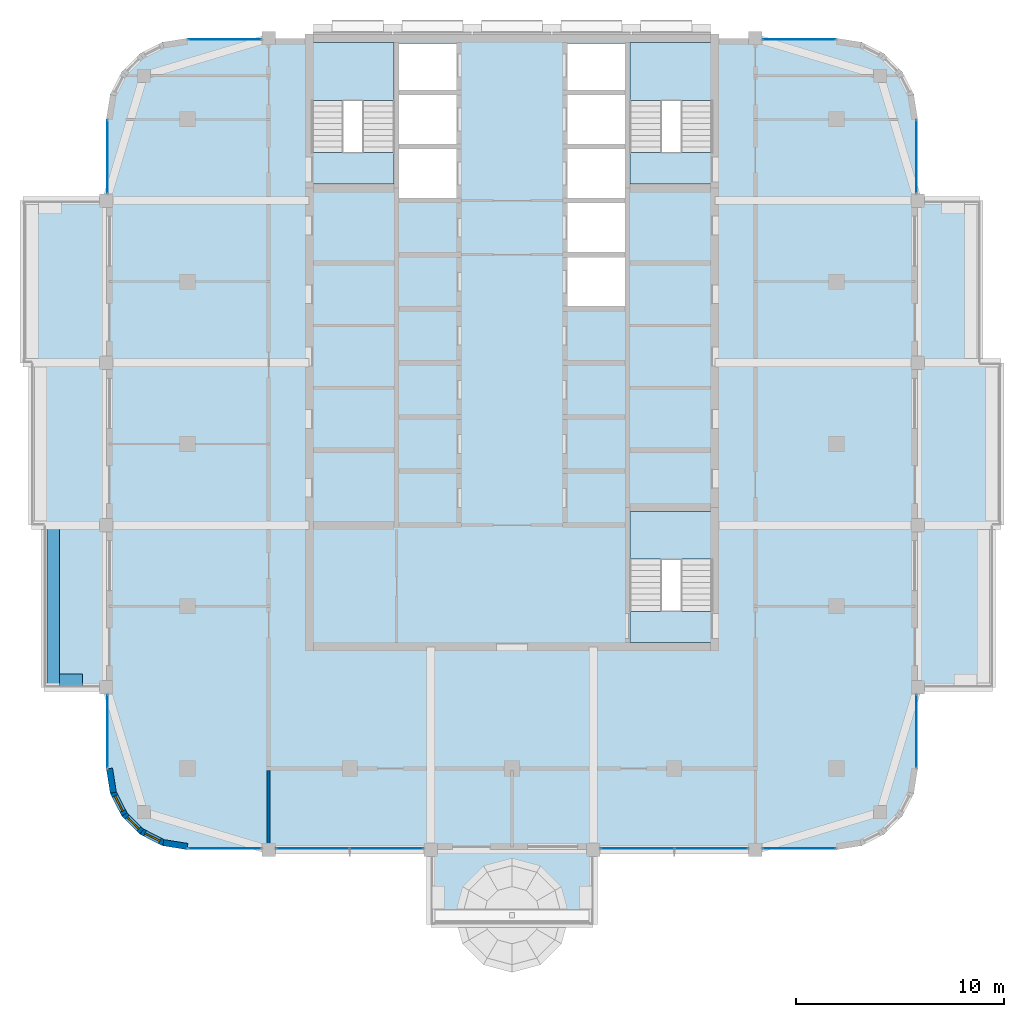
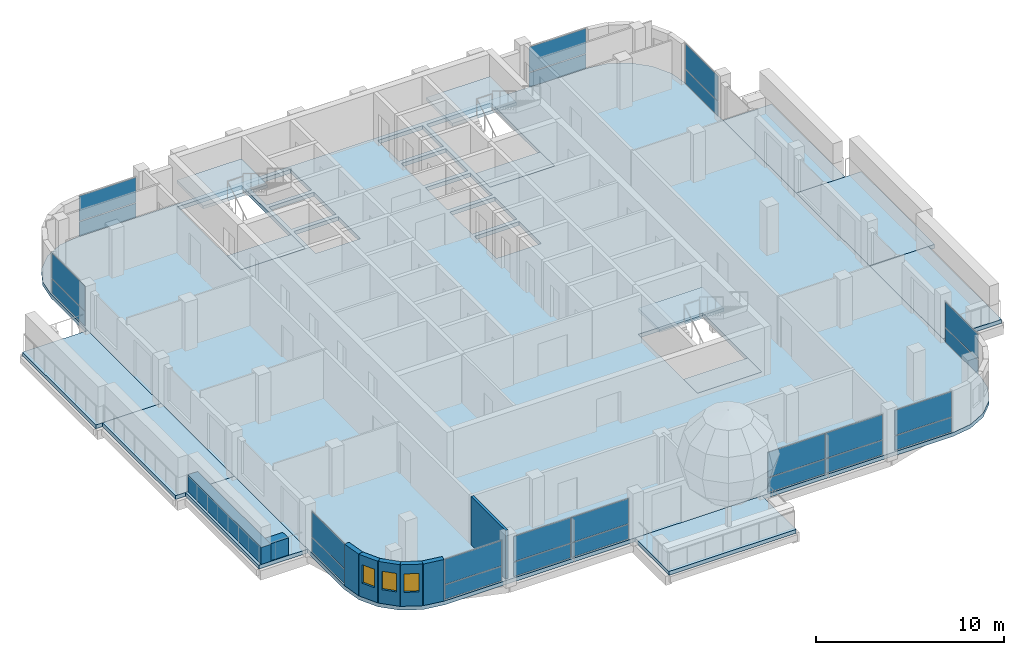
# One storey, part 9 of 19: 24 plates, 14 slabs, 8 walls, 3 windows, 3 openings, 13 elements without a shape of their own.
"""IFC4 building model written with IfcOpenShell, lengths in metres."""

from ifc_helpers import new_model, si_unit, direction, frame, frame_2d, origin, origin_2d, place, context, subcontext, project, spatial, polyline, rectangle, outline, extrude, material, layer, layer_set, type_object, element, fill, aggregate, save


model = new_model("IFC4")

# Units and contexts
model_context = context("Model", 3, precision=1e-05, world=origin(), true_north=direction((0.0, 1.0)))
body_context = subcontext(model_context, "Body", "Model", "MODEL_VIEW")
ifc_project = project(units=[si_unit("LENGTHUNIT", "METRE"), si_unit("AREAUNIT", "SQUARE_METRE"), si_unit("VOLUMEUNIT", "CUBIC_METRE"), si_unit("PLANEANGLEUNIT", "RADIAN"), si_unit("MASSUNIT", "GRAM", prefix="KILO")], contexts=[model_context])

# Site, building, storey
site_placement = place(None, origin())
site = spatial("IfcSite", under=ifc_project, at=site_placement, CompositionType="ELEMENT")
building_placement = place(site_placement, origin())
building = spatial("IfcBuilding", under=site, at=building_placement, Name="Ludao Terraces", CompositionType="ELEMENT")
storey_placement = place(building_placement, frame((0.0, 0.0, 256.199951171875)))
storey = spatial("IfcBuildingStorey", under=building, at=storey_placement, Name="L70", CompositionType="ELEMENT", Elevation=256.199951171875)

# Slabs
ifc_material_1 = material(Name="Concrete C40", Category="concrete")
ifc_layer_1 = layer(ifc_material_1, 0.25)
ifc_layer_set_1 = layer_set([ifc_layer_1], Name="Balcony slab 250 C40")
slab_type_1 = type_object("IfcSlabType", Name="Balcony slab 250 C40", PredefinedType="USERDEFINED", material=ifc_layer_set_1)
slab_1_placement = place(storey_placement, frame((0.0, 0.0, -0.25)))
element("IfcSlab", 1, at=slab_1_placement, inside=storey, type_object=slab_type_1, Name="Balcony L70 S1", ObjectType="BALCONY", PredefinedType="USERDEFINED", context=body_context, shape_type="SweptSolid", body=[
    extrude(outline(polyline([(81.10009765625, 41.89990234375), (88.89990234375, 41.89990234375), (88.89990234375, 45.5), (81.10009765625, 45.5), (81.10009765625, 41.89990234375)])), origin(), (0.0, 0.0, 1.0), 0.25),
])
slab_2_placement = place(storey_placement, frame((0.0, 0.0, -0.25)))
element("IfcSlab", 2, at=slab_2_placement, inside=storey, type_object=slab_type_1, Name="Balcony L70 E1", ObjectType="BALCONY", PredefinedType="USERDEFINED", context=body_context, shape_type="SweptSolid", body=[
    extrude(outline(polyline([(104.5, 53.300048828125), (108.10009765625, 53.300048828125), (108.10009765625, 61.10009765625), (104.5, 61.10009765625), (104.5, 53.300048828125)])), origin(), (0.0, 0.0, 1.0), 0.25),
])
slab_3_placement = place(storey_placement, frame((0.0, 0.0, -0.25)))
element("IfcSlab", 3, at=slab_3_placement, inside=storey, type_object=slab_type_1, Name="Balcony L70 E2", ObjectType="BALCONY", PredefinedType="USERDEFINED", context=body_context, shape_type="SweptSolid", body=[
    extrude(outline(polyline([(104.5, 61.10009765625), (108.5, 61.10009765625), (108.5, 68.89990234375), (104.5, 68.89990234375), (104.5, 61.10009765625)])), origin(), (0.0, 0.0, 1.0), 0.25),
])
slab_4_placement = place(storey_placement, frame((0.0, 0.0, -0.25)))
element("IfcSlab", 4, at=slab_4_placement, inside=storey, type_object=slab_type_1, Name="Balcony L70 E3", ObjectType="BALCONY", PredefinedType="USERDEFINED", context=body_context, shape_type="SweptSolid", body=[
    extrude(outline(polyline([(104.5, 68.89990234375), (107.5, 68.89990234375), (107.5, 76.699951171875), (104.5, 76.699951171875), (104.5, 68.89990234375)])), origin(), (0.0, 0.0, 1.0), 0.25),
])
slab_5_placement = place(storey_placement, frame((0.0, 0.0, -0.25)))
element("IfcSlab", 5, at=slab_5_placement, inside=storey, type_object=slab_type_1, Name="Balcony L70 W1", ObjectType="BALCONY", PredefinedType="USERDEFINED", context=body_context, shape_type="SweptSolid", body=[
    extrude(outline(polyline([(62.5, 53.300048828125), (65.5, 53.300048828125), (65.5, 61.10009765625), (62.5, 61.10009765625), (62.5, 53.300048828125)])), origin(), (0.0, 0.0, 1.0), 0.25),
])
slab_6_placement = place(storey_placement, frame((0.0, 0.0, -0.25)))
element("IfcSlab", 6, at=slab_6_placement, inside=storey, type_object=slab_type_1, Name="Balcony L70 W2", ObjectType="BALCONY", PredefinedType="USERDEFINED", context=body_context, shape_type="SweptSolid", body=[
    extrude(outline(polyline([(61.89990234375, 61.10009765625), (65.5, 61.10009765625), (65.5, 68.89990234375), (61.89990234375, 68.89990234375), (61.89990234375, 61.10009765625)])), origin(), (0.0, 0.0, 1.0), 0.25),
])
slab_7_placement = place(storey_placement, frame((0.0, 0.0, -0.25)))
element("IfcSlab", 7, at=slab_7_placement, inside=storey, type_object=slab_type_1, Name="Balcony L70 W3", ObjectType="BALCONY", PredefinedType="USERDEFINED", context=body_context, shape_type="SweptSolid", body=[
    extrude(outline(polyline([(61.5, 68.89990234375), (65.5, 68.89990234375), (65.5, 76.699951171875), (61.5, 76.699951171875), (61.5, 68.89990234375)])), origin(), (0.0, 0.0, 1.0), 0.25),
])

# Curtain wall, plates
ifc_material_2 = material(Name="Aluminium curtain wall with fritted glass", Category="aluminium")
curtain_wall_type = type_object("IfcCurtainWallType", Name="ENV CW3 community glazing", PredefinedType="NOTDEFINED", material=ifc_material_2)
curtain_wall_1_placement = place(storey_placement, origin())
curtain_wall_1 = element("IfcCurtainWall", 8, at=curtain_wall_1_placement, inside=storey, type_object=curtain_wall_type, Name="Community floor glazing L70 S1", PredefinedType="NOTDEFINED")
ifc_material_3 = material(Name="Fritted glass panel", Category="glass")
ifc_layer_2 = layer(ifc_material_3, 0.02392578125)
ifc_layer_set_2 = layer_set([ifc_layer_2], Name="ENV CW3 glass panel")
plate_type = type_object("IfcPlateType", Name="ENV CW3 glass panel", PredefinedType="CURTAIN_PANEL", material=ifc_layer_set_2)
plate_1_placement = place(storey_placement, frame((71.1875, 45.56005859375, 0.0498046875), z_axis=(0.0, 0.0, 1.0), x_axis=(1.0, 0.0, 0.0)))
plate_1 = element("IfcPlate", 9, at=plate_1_placement, type_object=plate_type, Name="CW3 panel 1.1", PredefinedType="CURTAIN_PANEL", context=body_context, shape_type="SweptSolid", body=[
    extrude(rectangle(XDim=3.47509765625, YDim=0.02392578125, at=origin_2d()), origin(), (0.0, 0.0, 1.0), 0.925048828125),
])
plate_2_placement = place(storey_placement, frame((71.1875, 45.56005859375, 1.025146484375), z_axis=(0.0, 0.0, 1.0), x_axis=(1.0, 0.0, 0.0)))
plate_2 = element("IfcPlate", 10, at=plate_2_placement, type_object=plate_type, Name="CW3 panel 1.2", PredefinedType="CURTAIN_PANEL", context=body_context, shape_type="SweptSolid", body=[
    extrude(rectangle(XDim=3.47509765625, YDim=0.02392578125, at=origin_2d()), origin(), (0.0, 0.0, 1.0), 1.625),
])
aggregate(curtain_wall_1, [plate_1, plate_2])

curtain_wall_2_placement = place(storey_placement, origin())
curtain_wall_2 = element("IfcCurtainWall", 11, at=curtain_wall_2_placement, inside=storey, type_object=curtain_wall_type, Name="Community floor glazing L70 S2", PredefinedType="NOTDEFINED")
plate_3_placement = place(storey_placement, frame((75.425048828125, 45.56005859375, 0.0498046875), z_axis=(0.0, 0.0, 1.0), x_axis=(1.0, 0.0, 0.0)))
plate_3 = element("IfcPlate", 12, at=plate_3_placement, type_object=plate_type, Name="CW3 panel 1.1", PredefinedType="CURTAIN_PANEL", context=body_context, shape_type="SweptSolid", body=[
    extrude(rectangle(XDim=3.5, YDim=0.02392578125, at=origin_2d()), origin(), (0.0, 0.0, 1.0), 0.925048828125),
])
plate_4_placement = place(storey_placement, frame((75.425048828125, 45.56005859375, 1.025146484375), z_axis=(0.0, 0.0, 1.0), x_axis=(1.0, 0.0, 0.0)))
plate_4 = element("IfcPlate", 13, at=plate_4_placement, type_object=plate_type, Name="CW3 panel 1.2", PredefinedType="CURTAIN_PANEL", context=body_context, shape_type="SweptSolid", body=[
    extrude(rectangle(XDim=3.5, YDim=0.02392578125, at=origin_2d()), origin(), (0.0, 0.0, 1.0), 1.625),
])
plate_5_placement = place(storey_placement, frame((78.97509765625, 45.56005859375, 0.0498046875), z_axis=(0.0, 0.0, 1.0), x_axis=(1.0, 0.0, 0.0)))
plate_5 = element("IfcPlate", 14, at=plate_5_placement, type_object=plate_type, Name="CW3 panel 2.1", PredefinedType="CURTAIN_PANEL", context=body_context, shape_type="SweptSolid", body=[
    extrude(rectangle(XDim=3.5, YDim=0.02392578125, at=origin_2d()), origin(), (0.0, 0.0, 1.0), 0.925048828125),
])
plate_6_placement = place(storey_placement, frame((78.97509765625, 45.56005859375, 1.025146484375), z_axis=(0.0, 0.0, 1.0), x_axis=(1.0, 0.0, 0.0)))
plate_6 = element("IfcPlate", 15, at=plate_6_placement, type_object=plate_type, Name="CW3 panel 2.2", PredefinedType="CURTAIN_PANEL", context=body_context, shape_type="SweptSolid", body=[
    extrude(rectangle(XDim=3.5, YDim=0.02392578125, at=origin_2d()), origin(), (0.0, 0.0, 1.0), 1.625),
])
aggregate(curtain_wall_2, [plate_3, plate_4, plate_5, plate_6])

curtain_wall_3_placement = place(storey_placement, origin())
curtain_wall_3 = element("IfcCurtainWall", 16, at=curtain_wall_3_placement, inside=storey, type_object=curtain_wall_type, Name="Community floor glazing L70 S4", PredefinedType="NOTDEFINED")
plate_7_placement = place(storey_placement, frame((91.02490234375, 45.56005859375, 0.0498046875), z_axis=(0.0, 0.0, 1.0), x_axis=(1.0, 0.0, 0.0)))
plate_7 = element("IfcPlate", 17, at=plate_7_placement, type_object=plate_type, Name="CW3 panel 1.1", PredefinedType="CURTAIN_PANEL", context=body_context, shape_type="SweptSolid", body=[
    extrude(rectangle(XDim=3.5, YDim=0.02392578125, at=origin_2d()), origin(), (0.0, 0.0, 1.0), 0.925048828125),
])
plate_8_placement = place(storey_placement, frame((91.02490234375, 45.56005859375, 1.025146484375), z_axis=(0.0, 0.0, 1.0), x_axis=(1.0, 0.0, 0.0)))
plate_8 = element("IfcPlate", 18, at=plate_8_placement, type_object=plate_type, Name="CW3 panel 1.2", PredefinedType="CURTAIN_PANEL", context=body_context, shape_type="SweptSolid", body=[
    extrude(rectangle(XDim=3.5, YDim=0.02392578125, at=origin_2d()), origin(), (0.0, 0.0, 1.0), 1.625),
])
plate_9_placement = place(storey_placement, frame((94.574951171875, 45.56005859375, 0.0498046875), z_axis=(0.0, 0.0, 1.0), x_axis=(1.0, 0.0, 0.0)))
plate_9 = element("IfcPlate", 19, at=plate_9_placement, type_object=plate_type, Name="CW3 panel 2.1", PredefinedType="CURTAIN_PANEL", context=body_context, shape_type="SweptSolid", body=[
    extrude(rectangle(XDim=3.5, YDim=0.02392578125, at=origin_2d()), origin(), (0.0, 0.0, 1.0), 0.925048828125),
])
plate_10_placement = place(storey_placement, frame((94.574951171875, 45.56005859375, 1.025146484375), z_axis=(0.0, 0.0, 1.0), x_axis=(1.0, 0.0, 0.0)))
plate_10 = element("IfcPlate", 20, at=plate_10_placement, type_object=plate_type, Name="CW3 panel 2.2", PredefinedType="CURTAIN_PANEL", context=body_context, shape_type="SweptSolid", body=[
    extrude(rectangle(XDim=3.5, YDim=0.02392578125, at=origin_2d()), origin(), (0.0, 0.0, 1.0), 1.625),
])
aggregate(curtain_wall_3, [plate_7, plate_8, plate_9, plate_10])

curtain_wall_4_placement = place(storey_placement, origin())
curtain_wall_4 = element("IfcCurtainWall", 21, at=curtain_wall_4_placement, inside=storey, type_object=curtain_wall_type, Name="Community floor glazing L70 S5", PredefinedType="NOTDEFINED")
plate_11_placement = place(storey_placement, frame((98.8125, 45.56005859375, 0.0498046875), z_axis=(0.0, 0.0, 1.0), x_axis=(1.0, 0.0, 0.0)))
plate_11 = element("IfcPlate", 22, at=plate_11_placement, type_object=plate_type, Name="CW3 panel 1.1", PredefinedType="CURTAIN_PANEL", context=body_context, shape_type="SweptSolid", body=[
    extrude(rectangle(XDim=3.47509765625, YDim=0.02392578125, at=origin_2d()), origin(), (0.0, 0.0, 1.0), 0.925048828125),
])
plate_12_placement = place(storey_placement, frame((98.8125, 45.56005859375, 1.025146484375), z_axis=(0.0, 0.0, 1.0), x_axis=(1.0, 0.0, 0.0)))
plate_12 = element("IfcPlate", 23, at=plate_12_placement, type_object=plate_type, Name="CW3 panel 1.2", PredefinedType="CURTAIN_PANEL", context=body_context, shape_type="SweptSolid", body=[
    extrude(rectangle(XDim=3.47509765625, YDim=0.02392578125, at=origin_2d()), origin(), (0.0, 0.0, 1.0), 1.625),
])
aggregate(curtain_wall_4, [plate_11, plate_12])

curtain_wall_5_placement = place(storey_placement, origin())
curtain_wall_5 = element("IfcCurtainWall", 24, at=curtain_wall_5_placement, inside=storey, type_object=curtain_wall_type, Name="Community floor glazing L70 E1", PredefinedType="NOTDEFINED")
plate_13_placement = place(storey_placement, frame((104.43994140625, 51.1875, 0.0498046875), z_axis=(0.0, 0.0, 1.0), x_axis=(0.0, 1.0, 0.0)))
plate_13 = element("IfcPlate", 25, at=plate_13_placement, type_object=plate_type, Name="CW3 panel 1.1", PredefinedType="CURTAIN_PANEL", context=body_context, shape_type="SweptSolid", body=[
    extrude(rectangle(XDim=3.47509765625, YDim=0.02392578125, at=origin_2d()), origin(), (0.0, 0.0, 1.0), 0.925048828125),
])
plate_14_placement = place(storey_placement, frame((104.43994140625, 51.1875, 1.025146484375), z_axis=(0.0, 0.0, 1.0), x_axis=(0.0, 1.0, 0.0)))
plate_14 = element("IfcPlate", 26, at=plate_14_placement, type_object=plate_type, Name="CW3 panel 1.2", PredefinedType="CURTAIN_PANEL", context=body_context, shape_type="SweptSolid", body=[
    extrude(rectangle(XDim=3.47509765625, YDim=0.02392578125, at=origin_2d()), origin(), (0.0, 0.0, 1.0), 1.625),
])
aggregate(curtain_wall_5, [plate_13, plate_14])

curtain_wall_6_placement = place(storey_placement, origin())
curtain_wall_6 = element("IfcCurtainWall", 27, at=curtain_wall_6_placement, inside=storey, type_object=curtain_wall_type, Name="Community floor glazing L70 E5", PredefinedType="NOTDEFINED")
plate_15_placement = place(storey_placement, frame((104.43994140625, 78.8125, 0.0498046875), z_axis=(0.0, 0.0, 1.0), x_axis=(0.0, 1.0, 0.0)))
plate_15 = element("IfcPlate", 28, at=plate_15_placement, type_object=plate_type, Name="CW3 panel 1.1", PredefinedType="CURTAIN_PANEL", context=body_context, shape_type="SweptSolid", body=[
    extrude(rectangle(XDim=3.47509765625, YDim=0.02392578125, at=origin_2d()), origin(), (0.0, 0.0, 1.0), 0.925048828125),
])
plate_16_placement = place(storey_placement, frame((104.43994140625, 78.8125, 1.025146484375), z_axis=(0.0, 0.0, 1.0), x_axis=(0.0, 1.0, 0.0)))
plate_16 = element("IfcPlate", 29, at=plate_16_placement, type_object=plate_type, Name="CW3 panel 1.2", PredefinedType="CURTAIN_PANEL", context=body_context, shape_type="SweptSolid", body=[
    extrude(rectangle(XDim=3.47509765625, YDim=0.02392578125, at=origin_2d()), origin(), (0.0, 0.0, 1.0), 1.625),
])
aggregate(curtain_wall_6, [plate_15, plate_16])

curtain_wall_7_placement = place(storey_placement, origin())
curtain_wall_7 = element("IfcCurtainWall", 30, at=curtain_wall_7_placement, inside=storey, type_object=curtain_wall_type, Name="Community floor glazing L70 N1", PredefinedType="NOTDEFINED")
plate_17_placement = place(storey_placement, frame((71.1875, 84.43994140625, 0.0498046875), z_axis=(0.0, 0.0, 1.0), x_axis=(1.0, 0.0, 0.0)))
plate_17 = element("IfcPlate", 31, at=plate_17_placement, type_object=plate_type, Name="CW3 panel 1.1", PredefinedType="CURTAIN_PANEL", context=body_context, shape_type="SweptSolid", body=[
    extrude(rectangle(XDim=3.47509765625, YDim=0.02392578125, at=origin_2d()), origin(), (0.0, 0.0, 1.0), 0.925048828125),
])
plate_18_placement = place(storey_placement, frame((71.1875, 84.43994140625, 1.025146484375), z_axis=(0.0, 0.0, 1.0), x_axis=(1.0, 0.0, 0.0)))
plate_18 = element("IfcPlate", 32, at=plate_18_placement, type_object=plate_type, Name="CW3 panel 1.2", PredefinedType="CURTAIN_PANEL", context=body_context, shape_type="SweptSolid", body=[
    extrude(rectangle(XDim=3.47509765625, YDim=0.02392578125, at=origin_2d()), origin(), (0.0, 0.0, 1.0), 1.625),
])
aggregate(curtain_wall_7, [plate_17, plate_18])

curtain_wall_8_placement = place(storey_placement, origin())
curtain_wall_8 = element("IfcCurtainWall", 33, at=curtain_wall_8_placement, inside=storey, type_object=curtain_wall_type, Name="Community floor glazing L70 N4", PredefinedType="NOTDEFINED")
plate_19_placement = place(storey_placement, frame((98.8125, 84.43994140625, 0.0498046875), z_axis=(0.0, 0.0, 1.0), x_axis=(1.0, 0.0, 0.0)))
plate_19 = element("IfcPlate", 34, at=plate_19_placement, type_object=plate_type, Name="CW3 panel 1.1", PredefinedType="CURTAIN_PANEL", context=body_context, shape_type="SweptSolid", body=[
    extrude(rectangle(XDim=3.47509765625, YDim=0.02392578125, at=origin_2d()), origin(), (0.0, 0.0, 1.0), 0.925048828125),
])
plate_20_placement = place(storey_placement, frame((98.8125, 84.43994140625, 1.025146484375), z_axis=(0.0, 0.0, 1.0), x_axis=(1.0, 0.0, 0.0)))
plate_20 = element("IfcPlate", 35, at=plate_20_placement, type_object=plate_type, Name="CW3 panel 1.2", PredefinedType="CURTAIN_PANEL", context=body_context, shape_type="SweptSolid", body=[
    extrude(rectangle(XDim=3.47509765625, YDim=0.02392578125, at=origin_2d()), origin(), (0.0, 0.0, 1.0), 1.625),
])
aggregate(curtain_wall_8, [plate_19, plate_20])

curtain_wall_9_placement = place(storey_placement, origin())
curtain_wall_9 = element("IfcCurtainWall", 36, at=curtain_wall_9_placement, inside=storey, type_object=curtain_wall_type, Name="Community floor glazing L70 W1", PredefinedType="NOTDEFINED")
plate_21_placement = place(storey_placement, frame((65.56005859375, 51.1875, 0.0498046875), z_axis=(0.0, 0.0, 1.0), x_axis=(0.0, 1.0, 0.0)))
plate_21 = element("IfcPlate", 37, at=plate_21_placement, type_object=plate_type, Name="CW3 panel 1.1", PredefinedType="CURTAIN_PANEL", context=body_context, shape_type="SweptSolid", body=[
    extrude(rectangle(XDim=3.47509765625, YDim=0.02392578125, at=origin_2d()), origin(), (0.0, 0.0, 1.0), 0.925048828125),
])
plate_22_placement = place(storey_placement, frame((65.56005859375, 51.1875, 1.025146484375), z_axis=(0.0, 0.0, 1.0), x_axis=(0.0, 1.0, 0.0)))
plate_22 = element("IfcPlate", 38, at=plate_22_placement, type_object=plate_type, Name="CW3 panel 1.2", PredefinedType="CURTAIN_PANEL", context=body_context, shape_type="SweptSolid", body=[
    extrude(rectangle(XDim=3.47509765625, YDim=0.02392578125, at=origin_2d()), origin(), (0.0, 0.0, 1.0), 1.625),
])
aggregate(curtain_wall_9, [plate_21, plate_22])

curtain_wall_10_placement = place(storey_placement, origin())
curtain_wall_10 = element("IfcCurtainWall", 39, at=curtain_wall_10_placement, inside=storey, type_object=curtain_wall_type, Name="Community floor glazing L70 W5", PredefinedType="NOTDEFINED")
plate_23_placement = place(storey_placement, frame((65.56005859375, 78.8125, 0.0498046875), z_axis=(0.0, 0.0, 1.0), x_axis=(0.0, 1.0, 0.0)))
plate_23 = element("IfcPlate", 40, at=plate_23_placement, type_object=plate_type, Name="CW3 panel 1.1", PredefinedType="CURTAIN_PANEL", context=body_context, shape_type="SweptSolid", body=[
    extrude(rectangle(XDim=3.47509765625, YDim=0.02392578125, at=origin_2d()), origin(), (0.0, 0.0, 1.0), 0.925048828125),
])
plate_24_placement = place(storey_placement, frame((65.56005859375, 78.8125, 1.025146484375), z_axis=(0.0, 0.0, 1.0), x_axis=(0.0, 1.0, 0.0)))
plate_24 = element("IfcPlate", 41, at=plate_24_placement, type_object=plate_type, Name="CW3 panel 1.2", PredefinedType="CURTAIN_PANEL", context=body_context, shape_type="SweptSolid", body=[
    extrude(rectangle(XDim=3.47509765625, YDim=0.02392578125, at=origin_2d()), origin(), (0.0, 0.0, 1.0), 1.625),
])
aggregate(curtain_wall_10, [plate_23, plate_24])

# Slab
ifc_layer_3 = layer(ifc_material_1, 0.25)
ifc_layer_set_3 = layer_set([ifc_layer_3], Name="Floor slab 250 C40")
slab_type_2 = type_object("IfcSlabType", Name="Floor slab 250 C40", PredefinedType="FLOOR", material=ifc_layer_set_3)
slab_8_placement = place(storey_placement, frame((0.0, 0.0, -0.25)))
element("IfcSlab", 42, at=slab_8_placement, inside=storey, type_object=slab_type_2, Name="Slab L70", PredefinedType="FLOOR", context=body_context, shape_type="SweptSolid", body=[
    extrude(outline(polyline([(100.60009765625, 45.5), (101.80517578125, 45.69091796875), (102.892333984375, 46.244873046875), (103.755126953125, 47.107666015625), (104.30908203125, 48.19482421875), (104.5, 49.39990234375), (104.5, 80.60009765625), (104.30908203125, 81.80517578125), (103.755126953125, 82.892333984375), (102.892333984375, 83.755126953125), (101.80517578125, 84.30908203125), (100.60009765625, 84.5), (69.39990234375, 84.5), (68.19482421875, 84.30908203125), (67.107666015625, 83.755126953125), (66.244873046875, 82.892333984375), (65.69091796875, 81.80517578125), (65.5, 80.60009765625), (65.5, 49.39990234375), (65.69091796875, 48.19482421875), (66.244873046875, 47.107666015625), (67.107666015625, 46.244873046875), (68.19482421875, 45.69091796875), (69.39990234375, 45.5), (100.60009765625, 45.5)]), holes=[polyline([(79.574951171875, 76.824951171875), (82.324951171875, 76.824951171875), (82.324951171875, 79.175048828125), (79.574951171875, 79.175048828125), (79.574951171875, 76.824951171875)]), polyline([(79.574951171875, 79.425048828125), (82.324951171875, 79.425048828125), (82.324951171875, 81.77490234375), (79.574951171875, 81.77490234375), (79.574951171875, 79.425048828125)]), polyline([(79.574951171875, 82.02490234375), (82.324951171875, 82.02490234375), (82.324951171875, 84.239990234375), (79.574951171875, 84.239990234375), (79.574951171875, 82.02490234375)]), polyline([(87.675048828125, 71.625), (90.425048828125, 71.625), (90.425048828125, 73.97509765625), (87.675048828125, 73.97509765625), (87.675048828125, 71.625)]), polyline([(87.675048828125, 74.22509765625), (90.425048828125, 74.22509765625), (90.425048828125, 76.574951171875), (87.675048828125, 76.574951171875), (87.675048828125, 74.22509765625)]), polyline([(87.675048828125, 76.824951171875), (90.425048828125, 76.824951171875), (90.425048828125, 79.175048828125), (87.675048828125, 79.175048828125), (87.675048828125, 76.824951171875)]), polyline([(87.675048828125, 79.425048828125), (90.425048828125, 79.425048828125), (90.425048828125, 81.77490234375), (87.675048828125, 81.77490234375), (87.675048828125, 79.425048828125)]), polyline([(87.675048828125, 82.02490234375), (90.425048828125, 82.02490234375), (90.425048828125, 84.239990234375), (87.675048828125, 84.239990234375), (87.675048828125, 82.02490234375)]), polyline([(75.375, 77.5), (79.324951171875, 77.5), (79.324951171875, 84.239990234375), (75.375, 84.239990234375), (75.375, 77.5)]), polyline([(90.675048828125, 77.5), (94.625, 77.5), (94.625, 84.239990234375), (90.675048828125, 84.239990234375), (90.675048828125, 77.5)]), polyline([(90.675048828125, 55.449951171875), (94.625, 55.449951171875), (94.625, 61.75), (90.675048828125, 61.75), (90.675048828125, 55.449951171875)])]), origin(), (0.0, 0.0, 1.0), 0.25),
])

# Stair, slabs
stair_type = type_object("IfcStairType", Name="INT Stair", PredefinedType="HALF_TURN_STAIR", material=ifc_material_1)
stair_1_placement = place(storey_placement, origin())
stair_1 = element("IfcStair", 43, at=stair_1_placement, inside=storey, type_object=stair_type, Name="EXIT STAIR 1", PredefinedType="HALF_TURN_STAIR")
ifc_layer_4 = layer(ifc_material_1, 0.199951171875)
ifc_layer_set_4 = layer_set([ifc_layer_4], Name="INT Stair landing 200")
slab_type_3 = type_object("IfcSlabType", Name="INT Stair landing 200", PredefinedType="LANDING", material=ifc_layer_set_4)
slab_9_placement = place(storey_placement, frame((0.0, 0.0, 1.5)))
slab_9 = element("IfcSlab", 44, at=slab_9_placement, type_object=slab_type_3, Name="ST1 landing 1", PredefinedType="LANDING", context=body_context, shape_type="SweptSolid", body=[
    extrude(outline(polyline([(75.375, 81.52001953125), (79.324951171875, 81.52001953125), (79.324951171875, 84.300048828125), (75.375, 84.300048828125), (75.375, 81.52001953125)])), origin(), (0.0, 0.0, 1.0), 0.199951171875),
])
slab_10_placement = place(storey_placement, frame((0.0, 0.0, -0.199951171875)))
slab_10 = element("IfcSlab", 45, at=slab_10_placement, type_object=slab_type_3, Name="ST1 landing 2", PredefinedType="LANDING", context=body_context, shape_type="SweptSolid", body=[
    extrude(outline(polyline([(75.375, 77.5), (79.324951171875, 77.5), (79.324951171875, 79.0), (75.375, 79.0), (75.375, 77.5)])), origin(), (0.0, 0.0, 1.0), 0.199951171875),
])
aggregate(stair_1, [slab_9, slab_10])

stair_2_placement = place(storey_placement, origin())
stair_2 = element("IfcStair", 46, at=stair_2_placement, inside=storey, type_object=stair_type, Name="EXIT STAIR 2", PredefinedType="HALF_TURN_STAIR")
slab_11_placement = place(storey_placement, frame((0.0, 0.0, 1.5)))
slab_11 = element("IfcSlab", 47, at=slab_11_placement, type_object=slab_type_3, Name="ST2 landing 1", PredefinedType="LANDING", context=body_context, shape_type="SweptSolid", body=[
    extrude(outline(polyline([(90.675048828125, 81.52001953125), (94.625, 81.52001953125), (94.625, 84.300048828125), (90.675048828125, 84.300048828125), (90.675048828125, 81.52001953125)])), origin(), (0.0, 0.0, 1.0), 0.199951171875),
])
slab_12_placement = place(storey_placement, frame((0.0, 0.0, -0.199951171875)))
slab_12 = element("IfcSlab", 48, at=slab_12_placement, type_object=slab_type_3, Name="ST2 landing 2", PredefinedType="LANDING", context=body_context, shape_type="SweptSolid", body=[
    extrude(outline(polyline([(90.675048828125, 77.5), (94.625, 77.5), (94.625, 79.0), (90.675048828125, 79.0), (90.675048828125, 77.5)])), origin(), (0.0, 0.0, 1.0), 0.199951171875),
])
aggregate(stair_2, [slab_11, slab_12])

stair_3_placement = place(storey_placement, origin())
stair_3 = element("IfcStair", 49, at=stair_3_placement, inside=storey, type_object=stair_type, Name="EXIT STAIR 3", PredefinedType="HALF_TURN_STAIR")
slab_13_placement = place(storey_placement, frame((0.0, 0.0, 1.5)))
slab_13 = element("IfcSlab", 50, at=slab_13_placement, type_object=slab_type_3, Name="ST3 landing 1", PredefinedType="LANDING", context=body_context, shape_type="SweptSolid", body=[
    extrude(outline(polyline([(90.675048828125, 59.469970703125), (94.625, 59.469970703125), (94.625, 61.75), (90.675048828125, 61.75), (90.675048828125, 59.469970703125)])), origin(), (0.0, 0.0, 1.0), 0.199951171875),
])
slab_14_placement = place(storey_placement, frame((0.0, 0.0, -0.199951171875)))
slab_14 = element("IfcSlab", 51, at=slab_14_placement, type_object=slab_type_3, Name="ST3 landing 2", PredefinedType="LANDING", context=body_context, shape_type="SweptSolid", body=[
    extrude(outline(polyline([(90.675048828125, 55.449951171875), (94.625, 55.449951171875), (94.625, 56.949951171875), (90.675048828125, 56.949951171875), (90.675048828125, 55.449951171875)])), origin(), (0.0, 0.0, 1.0), 0.199951171875),
])
aggregate(stair_3, [slab_13, slab_14])

# Walls
ifc_layer_5 = layer(ifc_material_1, 0.60009765625)
ifc_layer_set_5 = layer_set([ifc_layer_5], Name="ENV Planter trough 600")
wall_type_1 = type_object("IfcWallType", Name="ENV Planter trough 600", PredefinedType="USERDEFINED", material=ifc_layer_set_5)
wall_1_placement = place(storey_placement, frame((62.949951171875, 53.300048828125, 0.0), z_axis=(0.0, 0.0, 1.0), x_axis=(0.0, 1.0, 0.0)))
element("IfcWall", 52, at=wall_1_placement, inside=storey, type_object=wall_type_1, Name="PL-L70-W1", ObjectType="PLANTER", PredefinedType="USERDEFINED", context=body_context, shape_type="SweptSolid", body=[
    extrude(rectangle(XDim=7.800048828125, YDim=0.60009765625, at=frame_2d((3.89990234375, 0.0))), origin(), (0.0, 0.0, 1.0), 1.10009765625),
])
wall_2_placement = place(storey_placement, frame((63.25, 53.64990234375, 0.0), z_axis=(0.0, 0.0, 1.0), x_axis=(1.0, 0.0, 0.0)))
element("IfcWall", 53, at=wall_2_placement, inside=storey, type_object=wall_type_1, Name="PL-L70-W1-SA", ObjectType="PLANTER", PredefinedType="USERDEFINED", context=body_context, shape_type="SweptSolid", body=[
    extrude(rectangle(XDim=1.10009765625, YDim=0.60009765625, at=frame_2d((0.550048828125, 0.0))), origin(), (0.0, 0.0, 1.0), 1.10009765625),
])
ifc_material_4 = material(Name="Granite cladding", Category="masonry")
ifc_layer_6 = layer(ifc_material_4, 0.0400390625, Category="stone")
ifc_material_5 = material(Name="Mineral wool")
ifc_layer_7 = layer(ifc_material_5, 0.06005859375)
ifc_layer_8 = layer(ifc_material_1, 0.199951171875, Category="concrete")
ifc_layer_set_6 = layer_set([ifc_layer_6, ifc_layer_7, ifc_layer_8], Name="ENV Stone-clad wall 300")
wall_type_2 = type_object("IfcWallType", Name="ENV Stone-clad wall 300", PredefinedType="SOLIDWALL", material=ifc_layer_set_6)
wall_3_placement = place(storey_placement, frame((65.64990234375, 49.39990234375, 0.0), z_axis=(0.0, 0.0, 1.0), x_axis=(0.156496880861, -0.987678452879, 0.0)))
element("IfcWall", 54, at=wall_3_placement, inside=storey, type_object=wall_type_2, Name="EW-L70-SW1", PredefinedType="SOLIDWALL", context=body_context, shape_type="SweptSolid", body=[
    extrude(rectangle(XDim=1.173095703125, YDim=0.300048828125, at=frame_2d((0.58642578125, 0.0))), origin(), (0.0, 0.0, 1.0), 2.699951171875),
])

# Wall, opening, window
wall_4_placement = place(storey_placement, frame((65.83349609375, 48.2412109375, 0.0), z_axis=(0.0, 0.0, 1.0), x_axis=(0.454025524128, -0.890988677504, 0.0)))
wall_4 = element("IfcWall", 55, at=wall_4_placement, inside=storey, type_object=wall_type_2, Name="EW-L70-SW2", PredefinedType="SOLIDWALL", context=body_context, shape_type="SweptSolid", body=[
    extrude(rectangle(XDim=1.17333984375, YDim=0.300048828125, at=frame_2d((0.586669921875, 0.0))), origin(), (0.0, 0.0, 1.0), 2.699951171875),
])
opening_1_placement = place(wall_4_placement, frame((0.1865234375, 0.0, 0.89990234375)))
opening_1 = element("IfcOpeningElement", 56, at=opening_1_placement, cuts=wall_4, Name="Opening W3", PredefinedType="OPENING", context=body_context, shape_type="SweptSolid", body=[
    extrude(rectangle(XDim=0.800048828125, YDim=1.199951171875, at=frame_2d((0.39990234375, 0.60009765625))), frame((0.0, 0.16015625, 0.0), z_axis=(0.0, -1.0, 0.0), x_axis=(1.0, 0.0, 0.0)), (0.0, 0.0, 1.0), 0.320068359375),
])
ifc_material_6 = material(Name="Clear glass in aluminium frame", Category="aluminium")
ifc_layer_9 = layer(ifc_material_6, 0.06005859375)
ifc_layer_set_7 = layer_set([ifc_layer_9], Name="ENV Window W3 800x1200")
window_type = type_object("IfcWindowType", Name="ENV Window W3 800x1200", PartitioningType="SINGLE_PANEL", PredefinedType="WINDOW", material=ifc_layer_set_7)
window_1_placement = place(opening_1_placement, origin())
window_1 = element("IfcWindow", 57, at=window_1_placement, inside=storey, type_object=window_type, Name="W-L70-SW2", OverallHeight=1.199951171875, OverallWidth=0.800048828125, PartitioningType="SINGLE_PANEL", PredefinedType="WINDOW", context=body_context, shape_type="SweptSolid", body=[
    extrude(rectangle(XDim=0.800048828125, YDim=1.199951171875, at=frame_2d((0.39990234375, 0.60009765625))), frame((0.0, 0.030029296875, 0.0), z_axis=(0.0, -1.0, 0.0), x_axis=(1.0, 0.0, 0.0)), (0.0, 0.0, 1.0), 0.06005859375),
])
fill(opening_1, window_1)

wall_5_placement = place(storey_placement, frame((66.3662109375, 47.19580078125, 0.0), z_axis=(0.0, 0.0, 1.0), x_axis=(0.707106781187, -0.707106781187, 0.0)))
wall_5 = element("IfcWall", 58, at=wall_5_placement, inside=storey, type_object=wall_type_2, Name="EW-L70-SW3", PredefinedType="SOLIDWALL", context=body_context, shape_type="SweptSolid", body=[
    extrude(rectangle(XDim=1.173095703125, YDim=0.300048828125, at=frame_2d((0.58642578125, 0.0))), origin(), (0.0, 0.0, 1.0), 2.699951171875),
])
opening_2_placement = place(wall_5_placement, frame((0.1865234375, 0.0, 0.89990234375)))
opening_2 = element("IfcOpeningElement", 59, at=opening_2_placement, cuts=wall_5, Name="Opening W3", PredefinedType="OPENING", context=body_context, shape_type="SweptSolid", body=[
    extrude(rectangle(XDim=0.800048828125, YDim=1.199951171875, at=frame_2d((0.39990234375, 0.60009765625))), frame((0.0, 0.16015625, 0.0), z_axis=(0.0, -1.0, 0.0), x_axis=(1.0, 0.0, 0.0)), (0.0, 0.0, 1.0), 0.320068359375),
])
window_2_placement = place(opening_2_placement, origin())
window_2 = element("IfcWindow", 60, at=window_2_placement, inside=storey, type_object=window_type, Name="W-L70-SW3", OverallHeight=1.199951171875, OverallWidth=0.800048828125, PartitioningType="SINGLE_PANEL", PredefinedType="WINDOW", context=body_context, shape_type="SweptSolid", body=[
    extrude(rectangle(XDim=0.800048828125, YDim=1.199951171875, at=frame_2d((0.39990234375, 0.60009765625))), frame((0.0, 0.030029296875, 0.0), z_axis=(0.0, -1.0, 0.0), x_axis=(1.0, 0.0, 0.0)), (0.0, 0.0, 1.0), 0.06005859375),
])
fill(opening_2, window_2)

wall_6_placement = place(storey_placement, frame((67.19580078125, 46.3662109375, 0.0), z_axis=(0.0, 0.0, 1.0), x_axis=(0.890988677504, -0.454025524128, 0.0)))
wall_6 = element("IfcWall", 61, at=wall_6_placement, inside=storey, type_object=wall_type_2, Name="EW-L70-SW4", PredefinedType="SOLIDWALL", context=body_context, shape_type="SweptSolid", body=[
    extrude(rectangle(XDim=1.17333984375, YDim=0.300048828125, at=frame_2d((0.586669921875, 0.0))), origin(), (0.0, 0.0, 1.0), 2.699951171875),
])
opening_3_placement = place(wall_6_placement, frame((0.1865234375, 0.0, 0.89990234375)))
opening_3 = element("IfcOpeningElement", 62, at=opening_3_placement, cuts=wall_6, Name="Opening W3", PredefinedType="OPENING", context=body_context, shape_type="SweptSolid", body=[
    extrude(rectangle(XDim=0.800048828125, YDim=1.199951171875, at=frame_2d((0.39990234375, 0.60009765625))), frame((0.0, 0.16015625, 0.0), z_axis=(0.0, -1.0, 0.0), x_axis=(1.0, 0.0, 0.0)), (0.0, 0.0, 1.0), 0.320068359375),
])
window_3_placement = place(opening_3_placement, origin())
window_3 = element("IfcWindow", 63, at=window_3_placement, inside=storey, type_object=window_type, Name="W-L70-SW4", OverallHeight=1.199951171875, OverallWidth=0.800048828125, PartitioningType="SINGLE_PANEL", PredefinedType="WINDOW", context=body_context, shape_type="SweptSolid", body=[
    extrude(rectangle(XDim=0.800048828125, YDim=1.199951171875, at=frame_2d((0.39990234375, 0.60009765625))), frame((0.0, 0.030029296875, 0.0), z_axis=(0.0, -1.0, 0.0), x_axis=(1.0, 0.0, 0.0)), (0.0, 0.0, 1.0), 0.06005859375),
])
fill(opening_3, window_3)

# Walls
wall_7_placement = place(storey_placement, frame((68.2412109375, 45.83349609375, 0.0), z_axis=(0.0, 0.0, 1.0), x_axis=(0.987678452879, -0.156496880861, 0.0)))
element("IfcWall", 64, at=wall_7_placement, inside=storey, type_object=wall_type_2, Name="EW-L70-SW5", PredefinedType="SOLIDWALL", context=body_context, shape_type="SweptSolid", body=[
    extrude(rectangle(XDim=1.173095703125, YDim=0.300048828125, at=frame_2d((0.58642578125, 0.0))), origin(), (0.0, 0.0, 1.0), 2.699951171875),
])
ifc_material_7 = material(Name="Autoclaved aerated concrete block B06 A3.5", Category="concrete")
ifc_layer_10 = layer(ifc_material_7, 0.14990234375)
ifc_layer_set_8 = layer_set([ifc_layer_10], Name="INT Party wall 150")
wall_type_3 = type_object("IfcWallType", Name="INT Party wall 150", PredefinedType="PARTITIONING", material=ifc_layer_set_8)
wall_8_placement = place(storey_placement, frame((73.300048828125, 45.635009765625, 0.0), z_axis=(0.0, 0.0, 1.0), x_axis=(0.0, 1.0, 0.0)))
element("IfcWall", 65, at=wall_8_placement, inside=storey, type_object=wall_type_3, Name="PW-L70-PW017", PredefinedType="PARTITIONING", context=body_context, shape_type="SweptSolid", body=[
    extrude(rectangle(XDim=3.6650390625, YDim=0.14990234375, at=frame_2d((1.83251953125, 0.0))), origin(), (0.0, 0.0, 1.0), 3.150146484375),
])

save(model, "model.ifc")
